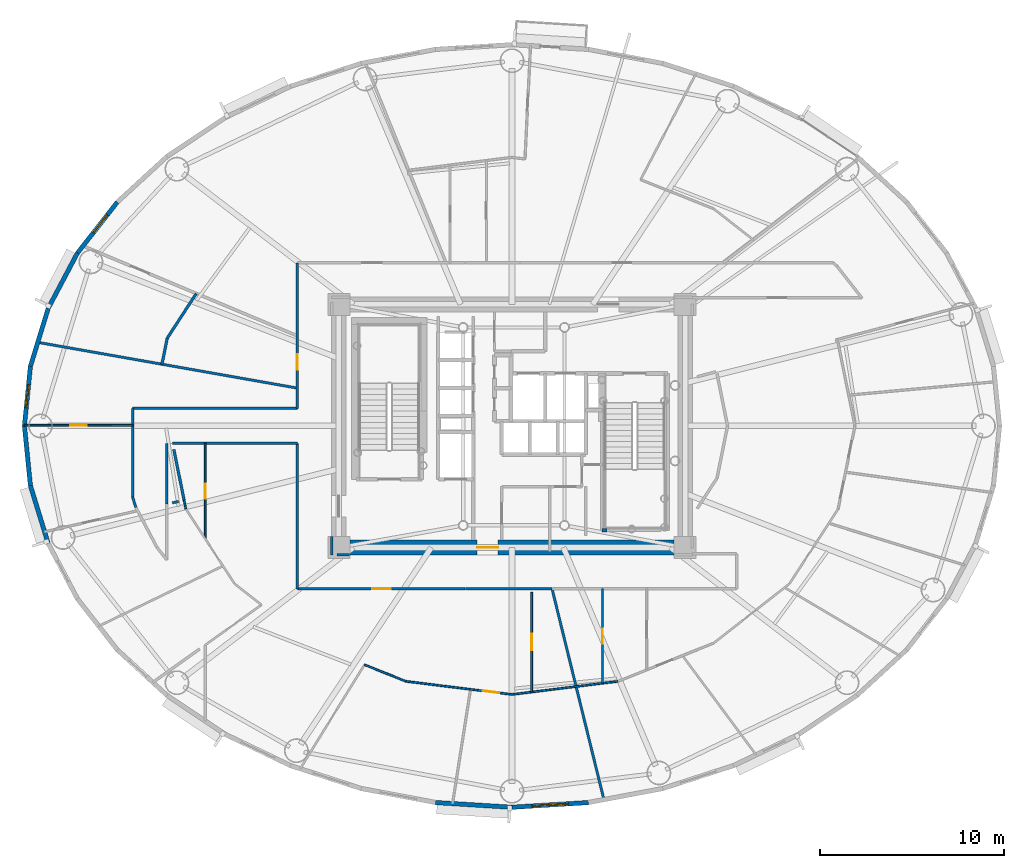
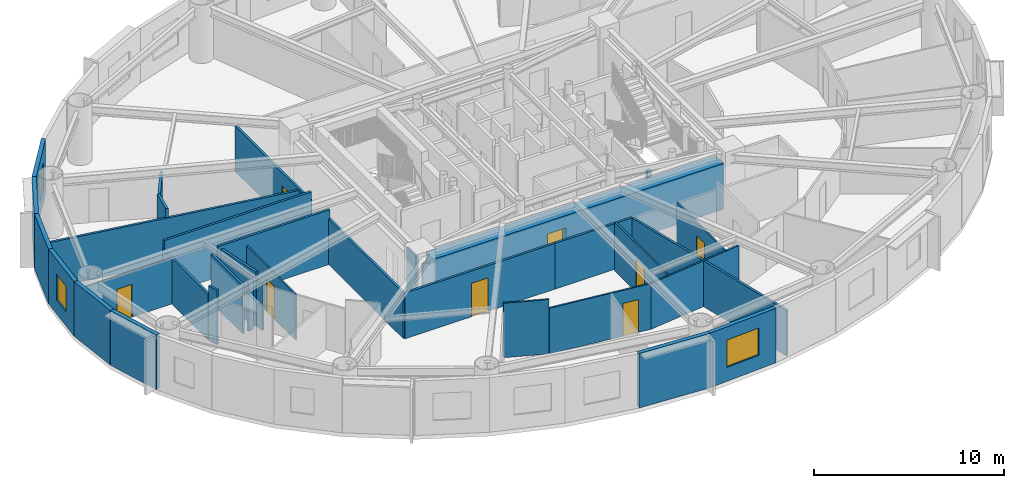
# One storey, part 7 of 18: 35 walls, 8 doors, 3 windows, 11 openings.
"""IFC4 building model written with IfcOpenShell, lengths in metres."""

from ifc_helpers import new_model, si_unit, direction, frame, frame_2d, origin, origin_2d, place, context, subcontext, project, spatial, rectangle, extrude, source, transform, mapped, material, layer, layer_set, type_object, element, fill, save


model = new_model("IFC4")

# Units and contexts
model_context = context("Model", 3, precision=1e-05, world=origin(), true_north=direction((0.0, 1.0)))
body_context = subcontext(model_context, "Body", "Model", "MODEL_VIEW")
ifc_project = project(units=[si_unit("LENGTHUNIT", "METRE"), si_unit("AREAUNIT", "SQUARE_METRE"), si_unit("VOLUMEUNIT", "CUBIC_METRE"), si_unit("PLANEANGLEUNIT", "RADIAN"), si_unit("MASSUNIT", "GRAM", prefix="KILO")], contexts=[model_context])

# Site, building, storey
site_placement = place(None, origin())
site = spatial("IfcSite", under=ifc_project, at=site_placement, CompositionType="ELEMENT")
building_placement = place(site_placement, origin())
building = spatial("IfcBuilding", under=site, at=building_placement, Name="Linh Dai School and Residence Tower", CompositionType="ELEMENT")
storey_placement = place(building_placement, frame((0.0, 0.0, 186.14990234375)))
storey = spatial("IfcBuildingStorey", under=building, at=storey_placement, Name="L45", CompositionType="ELEMENT", Elevation=186.14990234375)

# Wall, opening, window
ifc_material_1 = material(Name="Precast Concrete B45 (C35/45)", Category="concrete")
ifc_layer_1 = layer(ifc_material_1, 0.239990234375)
ifc_layer_set_1 = layer_set([ifc_layer_1], Name="Precast Concrete B45 (C35/45)")
wall_type_1 = type_object("IfcWallType", Name="EW-TC-240", PredefinedType="SOLIDWALL", material=ifc_layer_set_1)
wall_1_placement = place(storey_placement, frame((12.404052734375, 36.388427734375, 0.0), z_axis=(0.0, 0.0, 1.0), x_axis=(0.616287674549, 0.787521112224, 0.0)))
wall_1 = element("IfcWall", 1, at=wall_1_placement, inside=storey, type_object=wall_type_1, Name="L45 Terracotta Exterior Wall 17", PredefinedType="SOLIDWALL", context=body_context, shape_type="SweptSolid", body=[
    extrude(rectangle(XDim=3.517333984375, YDim=0.239990234375, at=frame_2d((1.7587890625, 0.0))), origin(), (0.0, 0.0, 1.0), 3.5),
])
opening_1_placement = place(wall_1_placement, frame((1.3896484375, 0.0, 0.89990234375)))
opening_1 = element("IfcOpeningElement", 2, at=opening_1_placement, cuts=wall_1, Name="Opening W3", PredefinedType="OPENING", context=body_context, shape_type="SweptSolid", body=[
    extrude(rectangle(XDim=1.25, YDim=1.64990234375, at=origin_2d()), frame((0.625, 0.1298828125, 0.824951171875), z_axis=(0.0, -1.0, 0.0), x_axis=(1.0, 0.0, 0.0)), (0.0, 0.0, 1.0), 0.260009765625),
])
ifc_material_2 = material(Name="Double Low-E Insulated Glazing", Category="glass")
window_type_1 = type_object("IfcWindowType", Name="WN-RES-1250x1650", PartitioningType="SINGLE_PANEL", PredefinedType="WINDOW", material=ifc_material_2)
shared_shape_1 = source(origin(), body_context, "Body", "SweptSolid", [
    extrude(rectangle(XDim=1.25, YDim=1.64990234375, at=origin_2d()), frame((0.625, 0.030029296875, 0.824951171875), z_axis=(0.0, -1.0, 0.0), x_axis=(1.0, 0.0, 0.0)), (0.0, 0.0, 1.0), 0.06005859375),
])
window_1_placement = place(opening_1_placement, origin())
window_1 = element("IfcWindow", 3, at=window_1_placement, inside=storey, type_object=window_type_1, Name="L45 Exterior Window 17.1", OverallHeight=1.64990234375, OverallWidth=1.25, PartitioningType="SINGLE_PANEL", PredefinedType="WINDOW", context=body_context, shape_type="MappedRepresentation", body=[
    mapped(shared_shape_1, transform((0.0, 0.0, 0.0), x_axis=(1.0, 0.0, 0.0), y_axis=(0.0, 1.0, 0.0), z_axis=(0.0, 0.0, 1.0), scale=1.0)),
])
fill(opening_1, window_1)

# Walls
wall_2_placement = place(storey_placement, frame((10.8173828125, 33.388916015625, 0.0), z_axis=(0.0, 0.0, 1.0), x_axis=(0.467586874938, 0.88394712194, 0.0)))
element("IfcWall", 4, at=wall_2_placement, inside=storey, type_object=wall_type_1, Name="L45 Terracotta Exterior Wall 18", PredefinedType="SOLIDWALL", context=body_context, shape_type="SweptSolid", body=[
    extrude(rectangle(XDim=3.393310546875, YDim=0.239990234375, at=frame_2d((1.69677734375, 0.0))), origin(), (0.0, 0.0, 1.0), 3.5),
])
wall_3_placement = place(storey_placement, frame((9.85009765625, 30.233642578125, 0.0), z_axis=(0.0, 0.0, 1.0), x_axis=(0.293097995113, 0.956082405058, 0.0)))
element("IfcWall", 5, at=wall_3_placement, inside=storey, type_object=wall_type_1, Name="L45 Terracotta Exterior Wall 19", PredefinedType="SOLIDWALL", context=body_context, shape_type="SweptSolid", body=[
    extrude(rectangle(XDim=3.30029296875, YDim=0.239990234375, at=frame_2d((1.650146484375, 0.0))), origin(), (0.0, 0.0, 1.0), 3.5),
])

# Wall, opening, window
wall_4_placement = place(storey_placement, frame((9.52490234375, 27.0, 0.0), z_axis=(0.0, 0.0, 1.0), x_axis=(0.100061534614, 0.994981250723, 0.0)))
wall_4 = element("IfcWall", 6, at=wall_4_placement, inside=storey, type_object=wall_type_1, Name="L45 Terracotta Exterior Wall 20", PredefinedType="SOLIDWALL", context=body_context, shape_type="SweptSolid", body=[
    extrude(rectangle(XDim=3.25, YDim=0.239990234375, at=frame_2d((1.625, 0.0))), origin(), (0.0, 0.0, 1.0), 3.5),
])
opening_2_placement = place(wall_4_placement, frame((1.0, 0.0, 0.89990234375)))
opening_2 = element("IfcOpeningElement", 7, at=opening_2_placement, cuts=wall_4, Name="Opening W3", PredefinedType="OPENING", context=body_context, shape_type="SweptSolid", body=[
    extrude(rectangle(XDim=1.25, YDim=1.64990234375, at=origin_2d()), frame((0.625, 0.1298828125, 0.824951171875), z_axis=(0.0, -1.0, 0.0), x_axis=(1.0, 0.0, 0.0)), (0.0, 0.0, 1.0), 0.260009765625),
])
window_2_placement = place(opening_2_placement, origin())
window_2 = element("IfcWindow", 8, at=window_2_placement, inside=storey, type_object=window_type_1, Name="L45 Dwelling Window U4501-BD1", OverallHeight=1.64990234375, OverallWidth=1.25, PartitioningType="SINGLE_PANEL", PredefinedType="WINDOW", context=body_context, shape_type="MappedRepresentation", body=[
    mapped(shared_shape_1, transform((0.0, 0.0, 0.0), x_axis=(1.0, 0.0, 0.0), y_axis=(0.0, 1.0, 0.0), z_axis=(0.0, 0.0, 1.0), scale=1.0)),
])
fill(opening_2, window_2)

# Walls
wall_5_placement = place(storey_placement, frame((9.85009765625, 23.766357421875, 0.0), z_axis=(0.0, 0.0, 1.0), x_axis=(-0.100061534614, 0.994981250723, 0.0)))
element("IfcWall", 9, at=wall_5_placement, inside=storey, type_object=wall_type_1, Name="L45 Terracotta Exterior Wall 21", PredefinedType="SOLIDWALL", context=body_context, shape_type="SweptSolid", body=[
    extrude(rectangle(XDim=3.25, YDim=0.239990234375, at=frame_2d((1.625, 0.0))), origin(), (0.0, 0.0, 1.0), 3.5),
])
wall_6_placement = place(storey_placement, frame((10.8173828125, 20.611083984375, 0.0), z_axis=(0.0, 0.0, 1.0), x_axis=(-0.293097995113, 0.956082405058, 0.0)))
element("IfcWall", 10, at=wall_6_placement, inside=storey, type_object=wall_type_1, Name="L45 Terracotta Exterior Wall 22", PredefinedType="SOLIDWALL", context=body_context, shape_type="SweptSolid", body=[
    extrude(rectangle(XDim=3.30029296875, YDim=0.239990234375, at=frame_2d((1.650146484375, 0.0))), origin(), (0.0, 0.0, 1.0), 3.5),
])
wall_7_placement = place(storey_placement, frame((36.0, 6.294921875, 0.0), z_axis=(0.0, 0.0, 1.0), x_axis=(-0.998104600619, 0.061540281305, 0.0)))
element("IfcWall", 11, at=wall_7_placement, inside=storey, type_object=wall_type_1, Name="L45 Terracotta Exterior Wall 30", PredefinedType="SOLIDWALL", context=body_context, shape_type="SweptSolid", body=[
    extrude(rectangle(XDim=4.153564453125, YDim=0.239990234375, at=frame_2d((2.07666015625, 0.0))), origin(), (0.0, 0.0, 1.0), 3.5),
])

# Wall, opening, window
wall_8_placement = place(storey_placement, frame((40.145751953125, 6.550537109375, 0.0), z_axis=(0.0, 0.0, 1.0), x_axis=(-0.998104600619, -0.061540281305, 0.0)))
wall_8 = element("IfcWall", 12, at=wall_8_placement, inside=storey, type_object=wall_type_1, Name="L45 Terracotta Exterior Wall 31", PredefinedType="SOLIDWALL", context=body_context, shape_type="SweptSolid", body=[
    extrude(rectangle(XDim=4.153564453125, YDim=0.239990234375, at=frame_2d((2.07666015625, 0.0))), origin(), (0.0, 0.0, 1.0), 3.5),
])
opening_3_placement = place(wall_8_placement, frame((1.076904296875, 0.0, 0.89990234375)))
opening_3 = element("IfcOpeningElement", 13, at=opening_3_placement, cuts=wall_8, Name="Opening W1", PredefinedType="OPENING", context=body_context, shape_type="SweptSolid", body=[
    extrude(rectangle(XDim=2.0, YDim=1.75, at=origin_2d()), frame((1.0, 0.1298828125, 0.875), z_axis=(0.0, -1.0, 0.0), x_axis=(1.0, 0.0, 0.0)), (0.0, 0.0, 1.0), 0.260009765625),
])
window_type_2 = type_object("IfcWindowType", Name="WN-RES-2000x1750", PartitioningType="DOUBLE_PANEL_VERTICAL", PredefinedType="WINDOW", material=ifc_material_2)
shared_shape_2 = source(origin(), body_context, "Body", "SweptSolid", [
    extrude(rectangle(XDim=2.0, YDim=1.75, at=origin_2d()), frame((1.0, 0.030029296875, 0.875), z_axis=(0.0, -1.0, 0.0), x_axis=(1.0, 0.0, 0.0)), (0.0, 0.0, 1.0), 0.06005859375),
])
window_3_placement = place(opening_3_placement, origin())
window_3 = element("IfcWindow", 14, at=window_3_placement, inside=storey, type_object=window_type_2, Name="L45 Exterior Window 31.1", OverallHeight=1.75, OverallWidth=2.0, PartitioningType="DOUBLE_PANEL_VERTICAL", PredefinedType="WINDOW", context=body_context, shape_type="MappedRepresentation", body=[
    mapped(shared_shape_2, transform((0.0, 0.0, 0.0), x_axis=(1.0, 0.0, 0.0), y_axis=(0.0, 1.0, 0.0), z_axis=(0.0, 0.0, 1.0), scale=1.0)),
])
fill(opening_3, window_3)

# Walls
ifc_material_3 = material(Name="Autoclaved Aerated Concrete Blockwork", Category="masonry")
ifc_layer_2 = layer(ifc_material_3, 0.135009765625)
ifc_layer_set_2 = layer_set([ifc_layer_2], Name="Autoclaved Aerated Concrete Blockwork")
wall_type_2 = type_object("IfcWallType", Name="IW-CORR-135-EI90", PredefinedType="PARTITIONING", material=ifc_layer_set_2)
wall_9_placement = place(storey_placement, frame((10.24560546875, 31.541259765625, 0.0), z_axis=(0.0, 0.0, 1.0), x_axis=(0.984807060168, -0.173652106936, 0.0)))
element("IfcWall", 15, at=wall_9_placement, inside=storey, type_object=wall_type_2, Name="L45 Interior Partition Wall 002", PredefinedType="PARTITIONING", context=body_context, shape_type="SweptSolid", body=[
    extrude(rectangle(XDim=14.322021484375, YDim=0.135009765625, at=frame_2d((7.1611328125, 0.0))), origin(), (0.0, 0.0, 1.0), 2.93505859375),
])
wall_10_placement = place(storey_placement, frame((15.39990234375, 23.14599609375, 0.0), z_axis=(0.0, 0.0, 1.0), x_axis=(0.0, 1.0, 0.0)))
element("IfcWall", 16, at=wall_10_placement, inside=storey, type_object=wall_type_2, Name="L45 Interior Partition Wall 006", PredefinedType="PARTITIONING", context=body_context, shape_type="SweptSolid", body=[
    extrude(rectangle(XDim=4.803955078125, YDim=0.135009765625, at=frame_2d((2.40185546875, 0.0))), origin(), (0.0, 0.0, 1.0), 2.93505859375),
])
wall_11_placement = place(storey_placement, frame((15.39990234375, 23.14599609375, 0.0), z_axis=(0.0, 0.0, 1.0), x_axis=(0.293335154151, -0.956009669061, 0.0)))
element("IfcWall", 17, at=wall_11_placement, inside=storey, type_object=wall_type_2, Name="L45 Interior Partition Wall 007", PredefinedType="PARTITIONING", context=body_context, shape_type="SweptSolid", body=[
    extrude(rectangle(XDim=0.59423828125, YDim=0.135009765625, at=frame_2d((0.297119140625, 0.0))), origin(), (0.0, 0.0, 1.0), 3.5),
])
wall_12_placement = place(storey_placement, frame((15.39990234375, 27.949951171875, 0.0), z_axis=(0.0, 0.0, 1.0), x_axis=(1.0, 0.0, 0.0)))
element("IfcWall", 18, at=wall_12_placement, inside=storey, type_object=wall_type_2, Name="L45 Interior Partition Wall 008", PredefinedType="PARTITIONING", context=body_context, shape_type="SweptSolid", body=[
    extrude(rectangle(XDim=8.9501953125, YDim=0.135009765625, at=frame_2d((4.47509765625, 0.0))), origin(), (0.0, 0.0, 1.0), 3.5),
])
wall_13_placement = place(storey_placement, frame((17.572265625, 26.050048828125, 0.0), z_axis=(0.0, 0.0, 1.0), x_axis=(1.0, 0.0, 0.0)))
element("IfcWall", 19, at=wall_13_placement, inside=storey, type_object=wall_type_2, Name="L45 Interior Partition Wall 014", PredefinedType="PARTITIONING", context=body_context, shape_type="SweptSolid", body=[
    extrude(rectangle(XDim=6.77783203125, YDim=0.135009765625, at=frame_2d((3.388916015625, 0.0))), origin(), (0.0, 0.0, 1.0), 3.5),
])
wall_14_placement = place(storey_placement, frame((24.35009765625, 18.14990234375, 0.0), z_axis=(0.0, 0.0, 1.0), x_axis=(0.0, 1.0, 0.0)))
element("IfcWall", 20, at=wall_14_placement, inside=storey, type_object=wall_type_2, Name="L45 Interior Partition Wall 020", PredefinedType="PARTITIONING", context=body_context, shape_type="SweptSolid", body=[
    extrude(rectangle(XDim=7.900146484375, YDim=0.135009765625, at=frame_2d((3.9501953125, 0.0))), origin(), (0.0, 0.0, 1.0), 2.93505859375),
])

# Wall, opening, door
wall_15_placement = place(storey_placement, frame((24.35009765625, 18.14990234375, 0.0), z_axis=(0.0, 0.0, 1.0), x_axis=(1.0, 0.0, 0.0)))
wall_15 = element("IfcWall", 21, at=wall_15_placement, inside=storey, type_object=wall_type_2, Name="L45 Interior Partition Wall 021", PredefinedType="PARTITIONING", context=body_context, shape_type="SweptSolid", body=[
    extrude(rectangle(XDim=9.108642578125, YDim=0.135009765625, at=frame_2d((4.55419921875, 0.0))), origin(), (0.0, 0.0, 1.0), 2.93505859375),
])
opening_4_placement = place(wall_15_placement, frame((4.05419921875, 0.0, 0.0)))
opening_4 = element("IfcOpeningElement", 22, at=opening_4_placement, cuts=wall_15, Name="Opening D03", PredefinedType="OPENING", context=body_context, shape_type="SweptSolid", body=[
    extrude(rectangle(XDim=1.0, YDim=2.14990234375, at=origin_2d()), frame((0.5, 0.07763671875, 1.074951171875), z_axis=(0.0, -1.0, 0.0), x_axis=(1.0, 0.0, 0.0)), (0.0, 0.0, 1.0), 0.155029296875),
])
ifc_material_4 = material(Name="Fire-Rated Solid Timber Entrance Door", Category="wood")
door_type_1 = type_object("IfcDoorType", Name="DR-FLAT-1000x2150-FD60S", OperationType="NOTDEFINED", PredefinedType="DOOR", material=ifc_material_4)
shared_shape_3 = source(origin(), body_context, "Body", "SweptSolid", [
    extrude(rectangle(XDim=1.0, YDim=2.14990234375, at=origin_2d()), frame((0.5, 0.02490234375, 1.074951171875), z_axis=(0.0, -1.0, 0.0), x_axis=(1.0, 0.0, 0.0)), (0.0, 0.0, 1.0), 0.050048828125),
])
door_1_placement = place(opening_4_placement, origin())
door_1 = element("IfcDoor", 23, at=door_1_placement, inside=storey, type_object=door_type_1, Name="L45 U4501 Apartment Entrance Door", OperationType="SINGLE_SWING_LEFT", OverallHeight=2.14990234375, OverallWidth=1.0, PredefinedType="DOOR", context=body_context, shape_type="MappedRepresentation", body=[
    mapped(shared_shape_3, transform((0.0, 0.0, 0.0), x_axis=(1.0, 0.0, 0.0), y_axis=(0.0, 1.0, 0.0), z_axis=(0.0, 0.0, 1.0), scale=1.0)),
])
fill(opening_4, door_1)

wall_16_placement = place(storey_placement, frame((24.35009765625, 27.949951171875, 0.0), z_axis=(0.0, 0.0, 1.0), x_axis=(0.0, 1.0, 0.0)))
wall_16 = element("IfcWall", 24, at=wall_16_placement, inside=storey, type_object=wall_type_2, Name="L45 Interior Partition Wall 022", PredefinedType="PARTITIONING", context=body_context, shape_type="SweptSolid", body=[
    extrude(rectangle(XDim=7.900146484375, YDim=0.135009765625, at=frame_2d((3.9501953125, 0.0))), origin(), (0.0, 0.0, 1.0), 2.93505859375),
])
opening_5_placement = place(wall_16_placement, frame((2.11083984375, 0.0, 0.0)))
opening_5 = element("IfcOpeningElement", 25, at=opening_5_placement, cuts=wall_16, Name="Opening D06", PredefinedType="OPENING", context=body_context, shape_type="SweptSolid", body=[
    extrude(rectangle(XDim=0.820068359375, YDim=2.10009765625, at=origin_2d()), frame((0.41015625, 0.07763671875, 1.050048828125), z_axis=(0.0, -1.0, 0.0), x_axis=(1.0, 0.0, 0.0)), (0.0, 0.0, 1.0), 0.155029296875),
])
ifc_material_5 = material(Name="Moisture-Resistant Timber Bathroom Door", Category="wood")
door_type_2 = type_object("IfcDoorType", Name="DR-WET-820x2100", OperationType="NOTDEFINED", PredefinedType="DOOR", material=ifc_material_5)
shared_shape_4 = source(origin(), body_context, "Body", "SweptSolid", [
    extrude(rectangle(XDim=0.820068359375, YDim=2.10009765625, at=origin_2d()), frame((0.41015625, 0.02490234375, 1.050048828125), z_axis=(0.0, -1.0, 0.0), x_axis=(1.0, 0.0, 0.0)), (0.0, 0.0, 1.0), 0.050048828125),
])
door_2_placement = place(opening_5_placement, origin())
door_2 = element("IfcDoor", 26, at=door_2_placement, inside=storey, type_object=door_type_2, Name="L45 Amenity Accessible WC Door", OperationType="SINGLE_SWING_RIGHT", OverallHeight=2.10009765625, OverallWidth=0.820068359375, PredefinedType="DOOR", context=body_context, shape_type="MappedRepresentation", body=[
    mapped(shared_shape_4, transform((0.0, 0.0, 0.0), x_axis=(1.0, 0.0, 0.0), y_axis=(0.0, 1.0, 0.0), z_axis=(0.0, 0.0, 1.0), scale=1.0)),
])
fill(opening_5, door_2)

# Walls
wall_17_placement = place(storey_placement, frame((38.187744140625, 18.106201171875, 0.0), z_axis=(0.0, 0.0, 1.0), x_axis=(0.238849835997, -0.971056515268, 0.0)))
element("IfcWall", 27, at=wall_17_placement, inside=storey, type_object=wall_type_2, Name="L45 Interior Partition Wall 063", PredefinedType="PARTITIONING", context=body_context, shape_type="SweptSolid", body=[
    extrude(rectangle(XDim=11.741455078125, YDim=0.135009765625, at=frame_2d((5.87060546875, 0.0))), origin(), (0.0, 0.0, 1.0), 2.93505859375),
])
wall_18_placement = place(storey_placement, frame((17.25, 26.050048828125, 0.0), z_axis=(0.0, 0.0, 1.0), x_axis=(0.0, -1.0, 0.0)))
element("IfcWall", 28, at=wall_18_placement, inside=storey, type_object=wall_type_2, Name="L45 Interior Partition Wall 101", PredefinedType="PARTITIONING", context=body_context, shape_type="SweptSolid", body=[
    extrude(rectangle(XDim=3.28759765625, YDim=0.135009765625, at=frame_2d((1.643798828125, 0.0))), origin(), (0.0, 0.0, 1.0), 3.125),
])
wall_19_placement = place(storey_placement, frame((26.199951171875, 20.989990234375, 0.0), z_axis=(0.0, 0.0, 1.0), x_axis=(0.0, -1.0, 0.0)))
element("IfcWall", 29, at=wall_19_placement, inside=storey, type_object=wall_type_2, Name="L45 Interior Partition Wall 106", PredefinedType="PARTITIONING", context=body_context, shape_type="SweptSolid", body=[
    extrude(rectangle(XDim=0.989990234375, YDim=0.135009765625, at=frame_2d((0.4951171875, 0.0))), origin(), (0.0, 0.0, 1.0), 3.5),
])
wall_20_placement = place(storey_placement, frame((26.507568359375, 20.0, 0.0), z_axis=(0.0, 0.0, 1.0), x_axis=(1.0, 0.0, 0.0)))
element("IfcWall", 30, at=wall_20_placement, inside=storey, type_object=wall_type_2, Name="L45 Interior Partition Wall 107", PredefinedType="PARTITIONING", context=body_context, shape_type="SweptSolid", body=[
    extrude(rectangle(XDim=0.682373046875, YDim=0.135009765625, at=frame_2d((0.34130859375, 0.0))), origin(), (0.0, 0.0, 1.0), 2.93505859375),
])
wall_21_placement = place(storey_placement, frame((38.177734375, 18.14990234375, 0.0), z_axis=(0.0, 0.0, 1.0), x_axis=(-1.0, 0.0, 0.0)))
element("IfcWall", 31, at=wall_21_placement, inside=storey, type_object=wall_type_2, Name="L45 Interior Partition Wall 109", PredefinedType="PARTITIONING", context=body_context, shape_type="SweptSolid", body=[
    extrude(rectangle(XDim=4.708984375, YDim=0.135009765625, at=frame_2d((2.3544921875, 0.0))), origin(), (0.0, 0.0, 1.0), 2.93505859375),
])
wall_22_placement = place(storey_placement, frame((17.5576171875, 22.822265625, 0.0), z_axis=(0.0, 0.0, 1.0), x_axis=(0.975362278784, 0.220609213601, 0.0)))
element("IfcWall", 32, at=wall_22_placement, inside=storey, type_object=wall_type_2, Name="L45 Interior Partition Wall 111", PredefinedType="PARTITIONING", context=body_context, shape_type="SweptSolid", body=[
    extrude(rectangle(XDim=0.34423828125, YDim=0.135009765625, at=frame_2d((0.172119140625, 0.0))), origin(), (0.0, 0.0, 1.0), 3.125),
])
ifc_layer_3 = layer(ifc_material_3, 0.14990234375)
ifc_layer_set_3 = layer_set([ifc_layer_3], Name="Autoclaved Aerated Concrete Blockwork")
wall_type_3 = type_object("IfcWallType", Name="IW-SCH-150-EI60", PredefinedType="PARTITIONING", material=ifc_layer_set_3)
wall_23_placement = place(storey_placement, frame((16.993896484375, 30.351318359375, 0.0), z_axis=(0.0, 0.0, 1.0), x_axis=(0.198136589313, 0.98017441916, 0.0)))
element("IfcWall", 33, at=wall_23_placement, inside=storey, type_object=wall_type_3, Name="L45 Interior Partition Wall 011", PredefinedType="PARTITIONING", context=body_context, shape_type="SweptSolid", body=[
    extrude(rectangle(XDim=1.4404296875, YDim=0.14990234375, at=frame_2d((0.72021484375, 0.0))), origin(), (0.0, 0.0, 1.0), 3.5),
])
wall_24_placement = place(storey_placement, frame((17.279296875, 31.76318359375, 0.0), z_axis=(0.0, 0.0, 1.0), x_axis=(0.545388220317, 0.8381835653, 0.0)))
element("IfcWall", 34, at=wall_24_placement, inside=storey, type_object=wall_type_3, Name="L45 Interior Partition Wall 013", PredefinedType="PARTITIONING", context=body_context, shape_type="SweptSolid", body=[
    extrude(rectangle(XDim=2.896728515625, YDim=0.14990234375, at=frame_2d((1.4482421875, 0.0))), origin(), (0.0, 0.0, 1.0), 2.93505859375),
])
wall_25_placement = place(storey_placement, frame((18.19384765625, 22.9765625, 0.0), z_axis=(0.0, 0.0, 1.0), x_axis=(-0.19826083806, 0.980149294797, 0.0)))
element("IfcWall", 35, at=wall_25_placement, inside=storey, type_object=wall_type_3, Name="L45 Interior Partition Wall 113", PredefinedType="PARTITIONING", context=body_context, shape_type="SweptSolid", body=[
    extrude(rectangle(XDim=2.801513671875, YDim=0.14990234375, at=frame_2d((1.40087890625, 0.0))), origin(), (0.0, 0.0, 1.0), 3.5),
])
ifc_material_6 = material(Name="Concrete B45 (C35/45)", Category="concrete")
ifc_layer_4 = layer(ifc_material_6, 0.199951171875)
ifc_layer_set_4 = layer_set([ifc_layer_4], Name="Concrete B45 (C35/45)")
wall_type_4 = type_object("IfcWallType", Name="IW-SHAFT-200-EI120", PredefinedType="PARTITIONING", material=ifc_layer_set_4)
wall_26_placement = place(storey_placement, frame((40.89990234375, 21.330078125, 0.0), z_axis=(0.0, 0.0, 1.0), x_axis=(1.0, 0.0, 0.0)))
element("IfcWall", 36, at=wall_26_placement, inside=storey, type_object=wall_type_4, Name="L45 Interior Partition Wall 071", PredefinedType="PARTITIONING", context=body_context, shape_type="SweptSolid", body=[
    extrude(rectangle(XDim=0.25, YDim=0.199951171875, at=frame_2d((0.125, 0.0))), origin(), (0.0, 0.0, 1.0), 3.03515625),
])

# Wall, opening, door
ifc_material_7 = material(Name="Gypsum Plasterboard Acoustic Stud Partition", Category="masonry")
ifc_layer_5 = layer(ifc_material_7, 0.10009765625)
ifc_layer_set_5 = layer_set([ifc_layer_5], Name="Gypsum Plasterboard Acoustic Stud Partition")
wall_type_5 = type_object("IfcWallType", Name="IW-UNIT-100", PredefinedType="PARTITIONING", material=ifc_layer_set_5)
wall_27_placement = place(storey_placement, frame((9.524169921875, 27.040771484375, 0.0), z_axis=(0.0, 0.0, 1.0), x_axis=(0.999998818241, -0.001537373012, 0.0)))
wall_27 = element("IfcWall", 37, at=wall_27_placement, inside=storey, type_object=wall_type_5, Name="L45 Interior Partition Wall 001", PredefinedType="PARTITIONING", context=body_context, shape_type="SweptSolid", body=[
    extrude(rectangle(XDim=5.875732421875, YDim=0.10009765625, at=frame_2d((2.93798828125, 0.0))), origin(), (0.0, 0.0, 1.0), 2.93505859375),
])
opening_6_placement = place(wall_27_placement, frame((2.488037109375, 0.0, 0.0)))
opening_6 = element("IfcOpeningElement", 38, at=opening_6_placement, cuts=wall_27, Name="Opening D05", PredefinedType="OPENING", context=body_context, shape_type="SweptSolid", body=[
    extrude(rectangle(XDim=0.89990234375, YDim=2.10009765625, at=origin_2d()), frame((0.449951171875, 0.06005859375, 1.050048828125), z_axis=(0.0, -1.0, 0.0), x_axis=(1.0, 0.0, 0.0)), (0.0, 0.0, 1.0), 0.1201171875),
])
ifc_material_8 = material(Name="Engineered Timber Internal Door", Category="wood")
door_type_3 = type_object("IfcDoorType", Name="DR-INT-900x2100", OperationType="NOTDEFINED", PredefinedType="DOOR", material=ifc_material_8)
shared_shape_5 = source(origin(), body_context, "Body", "SweptSolid", [
    extrude(rectangle(XDim=0.89990234375, YDim=2.10009765625, at=origin_2d()), frame((0.449951171875, 0.02490234375, 1.050048828125), z_axis=(0.0, -1.0, 0.0), x_axis=(1.0, 0.0, 0.0)), (0.0, 0.0, 1.0), 0.050048828125),
])
door_3_placement = place(opening_6_placement, origin())
door_3 = element("IfcDoor", 39, at=door_3_placement, inside=storey, type_object=door_type_3, Name="L45 Apartment U4501 Principal Bedroom 1 Door", OperationType="SINGLE_SWING_LEFT", OverallHeight=2.10009765625, OverallWidth=0.89990234375, PredefinedType="DOOR", context=body_context, shape_type="MappedRepresentation", body=[
    mapped(shared_shape_5, transform((0.0, 0.0, 0.0), x_axis=(1.0, 0.0, 0.0), y_axis=(0.0, 1.0, 0.0), z_axis=(0.0, 0.0, 1.0), scale=1.0)),
])
fill(opening_6, door_3)

# Wall
wall_28_placement = place(storey_placement, frame((18.19580078125, 22.966796875, 0.0), z_axis=(0.0, 0.0, 1.0), x_axis=(0.197965751338, -0.980208937573, 0.0)))
element("IfcWall", 40, at=wall_28_placement, inside=storey, type_object=wall_type_5, Name="L45 Interior Partition Wall 015", PredefinedType="PARTITIONING", context=body_context, shape_type="SweptSolid", body=[
    extrude(rectangle(XDim=0.482177734375, YDim=0.10009765625, at=frame_2d((0.2412109375, 0.0))), origin(), (0.0, 0.0, 1.0), 2.93505859375),
])

# Wall, opening, door
wall_29_placement = place(storey_placement, frame((19.34716796875, 20.871337890625, 0.0), z_axis=(0.0, 0.0, 1.0), x_axis=(0.0, 1.0, 0.0)))
wall_29 = element("IfcWall", 41, at=wall_29_placement, inside=storey, type_object=wall_type_5, Name="L45 Interior Partition Wall 018", PredefinedType="PARTITIONING", context=body_context, shape_type="SweptSolid", body=[
    extrude(rectangle(XDim=5.1787109375, YDim=0.10009765625, at=frame_2d((2.58935546875, 0.0))), origin(), (0.0, 0.0, 1.0), 2.93505859375),
])
opening_7_placement = place(wall_29_placement, frame((2.17919921875, 0.0, 0.0)))
opening_7 = element("IfcOpeningElement", 42, at=opening_7_placement, cuts=wall_29, Name="Opening D06", PredefinedType="OPENING", context=body_context, shape_type="SweptSolid", body=[
    extrude(rectangle(XDim=0.820068359375, YDim=2.10009765625, at=origin_2d()), frame((0.41015625, 0.06005859375, 1.050048828125), z_axis=(0.0, -1.0, 0.0), x_axis=(1.0, 0.0, 0.0)), (0.0, 0.0, 1.0), 0.1201171875),
])
door_4_placement = place(opening_7_placement, origin())
door_4 = element("IfcDoor", 43, at=door_4_placement, inside=storey, type_object=door_type_2, Name="L45 Apartment U4501 Bathroom 1 Door", OperationType="SINGLE_SWING_RIGHT", OverallHeight=2.10009765625, OverallWidth=0.820068359375, PredefinedType="DOOR", context=body_context, shape_type="MappedRepresentation", body=[
    mapped(shared_shape_4, transform((0.0, 0.0, 0.0), x_axis=(1.0, 0.0, 0.0), y_axis=(0.0, 1.0, 0.0), z_axis=(0.0, 0.0, 1.0), scale=1.0)),
])
fill(opening_7, door_4)

# Wall
wall_30_placement = place(storey_placement, frame((27.989013671875, 14.033203125, 0.0), z_axis=(0.0, 0.0, 1.0), x_axis=(0.928788148018, -0.370611084699, 0.0)))
element("IfcWall", 44, at=wall_30_placement, inside=storey, type_object=wall_type_5, Name="L45 Interior Partition Wall 026", PredefinedType="PARTITIONING", context=body_context, shape_type="SweptSolid", body=[
    extrude(rectangle(XDim=2.43017578125, YDim=0.10009765625, at=frame_2d((1.215087890625, 0.0))), origin(), (0.0, 0.0, 1.0), 3.5),
])

# Wall, opening, door
wall_31_placement = place(storey_placement, frame((30.24609375, 13.132568359375, 0.0), z_axis=(0.0, 0.0, 1.0), x_axis=(0.992396615981, -0.123081097612, 0.0)))
wall_31 = element("IfcWall", 45, at=wall_31_placement, inside=storey, type_object=wall_type_5, Name="L45 Interior Partition Wall 028", PredefinedType="PARTITIONING", context=body_context, shape_type="SweptSolid", body=[
    extrude(rectangle(XDim=5.798095703125, YDim=0.10009765625, at=frame_2d((2.89892578125, 0.0))), origin(), (0.0, 0.0, 1.0), 2.93505859375),
])
opening_8_placement = place(wall_31_placement, frame((4.19384765625, 0.0, 0.0)))
opening_8 = element("IfcOpeningElement", 46, at=opening_8_placement, cuts=wall_31, Name="Opening D05", PredefinedType="OPENING", context=body_context, shape_type="SweptSolid", body=[
    extrude(rectangle(XDim=0.89990234375, YDim=2.10009765625, at=origin_2d()), frame((0.449951171875, 0.06005859375, 1.050048828125), z_axis=(0.0, -1.0, 0.0), x_axis=(1.0, 0.0, 0.0)), (0.0, 0.0, 1.0), 0.1201171875),
])
door_5_placement = place(opening_8_placement, origin())
door_5 = element("IfcDoor", 47, at=door_5_placement, inside=storey, type_object=door_type_3, Name="L45 Apartment U4501 Principal Bedroom 4 Door", OperationType="SINGLE_SWING_LEFT", OverallHeight=2.10009765625, OverallWidth=0.89990234375, PredefinedType="DOOR", context=body_context, shape_type="MappedRepresentation", body=[
    mapped(shared_shape_5, transform((0.0, 0.0, 0.0), x_axis=(1.0, 0.0, 0.0), y_axis=(0.0, 1.0, 0.0), z_axis=(0.0, 0.0, 1.0), scale=1.0)),
])
fill(opening_8, door_5)

# Wall
wall_32_placement = place(storey_placement, frame((36.0, 12.4189453125, 0.0), z_axis=(0.0, 0.0, 1.0), x_axis=(0.992396615981, 0.123081097612, 0.0)))
element("IfcWall", 48, at=wall_32_placement, inside=storey, type_object=wall_type_5, Name="L45 Interior Partition Wall 054", PredefinedType="PARTITIONING", context=body_context, shape_type="SweptSolid", body=[
    extrude(rectangle(XDim=5.798095703125, YDim=0.10009765625, at=frame_2d((2.89892578125, 0.0))), origin(), (0.0, 0.0, 1.0), 2.93505859375),
])

# Wall, opening, door
wall_33_placement = place(storey_placement, frame((37.064453125, 12.551025390625, 0.0), z_axis=(0.0, 0.0, 1.0), x_axis=(0.0, 1.0, 0.0)))
wall_33 = element("IfcWall", 49, at=wall_33_placement, inside=storey, type_object=wall_type_5, Name="L45 Interior Partition Wall 059", PredefinedType="PARTITIONING", context=body_context, shape_type="SweptSolid", body=[
    extrude(rectangle(XDim=5.415771484375, YDim=0.10009765625, at=frame_2d((2.7080078125, 0.0))), origin(), (0.0, 0.0, 1.0), 3.125),
])
opening_9_placement = place(wall_33_placement, frame((2.2578125, 0.0, 0.0)))
opening_9 = element("IfcOpeningElement", 50, at=opening_9_placement, cuts=wall_33, Name="Opening D05", PredefinedType="OPENING", context=body_context, shape_type="SweptSolid", body=[
    extrude(rectangle(XDim=0.89990234375, YDim=2.10009765625, at=origin_2d()), frame((0.449951171875, 0.06005859375, 1.050048828125), z_axis=(0.0, -1.0, 0.0), x_axis=(1.0, 0.0, 0.0)), (0.0, 0.0, 1.0), 0.1201171875),
])
door_6_placement = place(opening_9_placement, origin())
door_6 = element("IfcDoor", 51, at=door_6_placement, inside=storey, type_object=door_type_3, Name="L45 Apartment U4501 Kitchen Door", OperationType="SINGLE_SWING_LEFT", OverallHeight=2.10009765625, OverallWidth=0.89990234375, PredefinedType="DOOR", context=body_context, shape_type="MappedRepresentation", body=[
    mapped(shared_shape_5, transform((0.0, 0.0, 0.0), x_axis=(1.0, 0.0, 0.0), y_axis=(0.0, 1.0, 0.0), z_axis=(0.0, 0.0, 1.0), scale=1.0)),
])
fill(opening_9, door_6)

wall_34_placement = place(storey_placement, frame((40.91552734375, 13.028564453125, 0.0), z_axis=(0.0, 0.0, 1.0), x_axis=(0.0, 1.0, 0.0)))
wall_34 = element("IfcWall", 52, at=wall_34_placement, inside=storey, type_object=wall_type_5, Name="L45 Interior Partition Wall 072", PredefinedType="PARTITIONING", context=body_context, shape_type="SweptSolid", body=[
    extrude(rectangle(XDim=5.121337890625, YDim=0.10009765625, at=frame_2d((2.560546875, 0.0))), origin(), (0.0, 0.0, 1.0), 2.93505859375),
])
opening_10_placement = place(wall_34_placement, frame((2.150634765625, 0.0, 0.0)))
opening_10 = element("IfcOpeningElement", 53, at=opening_10_placement, cuts=wall_34, Name="Opening D06", PredefinedType="OPENING", context=body_context, shape_type="SweptSolid", body=[
    extrude(rectangle(XDim=0.820068359375, YDim=2.10009765625, at=origin_2d()), frame((0.41015625, 0.06005859375, 1.050048828125), z_axis=(0.0, -1.0, 0.0), x_axis=(1.0, 0.0, 0.0)), (0.0, 0.0, 1.0), 0.1201171875),
])
door_7_placement = place(opening_10_placement, origin())
door_7 = element("IfcDoor", 54, at=door_7_placement, inside=storey, type_object=door_type_2, Name="L45 Apartment U4502 Bathroom 1 Door", OperationType="SINGLE_SWING_RIGHT", OverallHeight=2.10009765625, OverallWidth=0.820068359375, PredefinedType="DOOR", context=body_context, shape_type="MappedRepresentation", body=[
    mapped(shared_shape_4, transform((0.0, 0.0, 0.0), x_axis=(1.0, 0.0, 0.0), y_axis=(0.0, 1.0, 0.0), z_axis=(0.0, 0.0, 1.0), scale=1.0)),
])
fill(opening_10, door_7)

ifc_material_9 = material(Name="Concrete B60 (C50/60)", Category="concrete")
ifc_layer_6 = layer(ifc_material_9, 0.800048828125)
ifc_layer_set_6 = layer_set([ifc_layer_6], Name="Concrete B60 (C50/60)")
wall_type_6 = type_object("IfcWallType", Name="WL-CORE800", PredefinedType="SHEAR", material=ifc_layer_set_6)
wall_35_placement = place(storey_placement, frame((44.800048828125, 20.39990234375, 0.0), z_axis=(0.0, 0.0, 1.0), x_axis=(-1.0, 0.0, 0.0)))
wall_35 = element("IfcWall", 55, at=wall_35_placement, inside=storey, type_object=wall_type_6, Name="L45 Central Core Shear Wall S", PredefinedType="SHEAR", context=body_context, shape_type="SweptSolid", body=[
    extrude(rectangle(XDim=17.60009765625, YDim=0.800048828125, at=frame_2d((8.800048828125, 0.0))), origin(), (0.0, 0.0, 1.0), 2.9501953125),
])
opening_11_placement = place(wall_35_placement, frame((9.550048828125, 0.0, 0.0)))
opening_11 = element("IfcOpeningElement", 56, at=opening_11_placement, cuts=wall_35, Name="Opening D02", PredefinedType="OPENING", context=body_context, shape_type="SweptSolid", body=[
    extrude(rectangle(XDim=1.14990234375, YDim=2.14990234375, at=origin_2d()), frame((0.574951171875, 0.41015625, 1.074951171875), z_axis=(0.0, -1.0, 0.0), x_axis=(1.0, 0.0, 0.0)), (0.0, 0.0, 1.0), 0.820068359375),
])
ifc_material_10 = material(Name="Fire-Rated Glazed Steel Lobby Door", Category="steel")
door_type_4 = type_object("IfcDoorType", Name="DR-LOBBY-1150x2150-FD90S", OperationType="NOTDEFINED", PredefinedType="DOOR", material=ifc_material_10)
shared_shape_6 = source(origin(), body_context, "Body", "SweptSolid", [
    extrude(rectangle(XDim=1.14990234375, YDim=2.14990234375, at=origin_2d()), frame((0.574951171875, 0.02490234375, 1.074951171875), z_axis=(0.0, -1.0, 0.0), x_axis=(1.0, 0.0, 0.0)), (0.0, 0.0, 1.0), 0.050048828125),
])
door_8_placement = place(opening_11_placement, origin())
door_8 = element("IfcDoor", 57, at=door_8_placement, inside=storey, type_object=door_type_4, Name="L45 Passenger Foyer Access Door", OperationType="SINGLE_SWING_RIGHT", OverallHeight=2.14990234375, OverallWidth=1.14990234375, PredefinedType="DOOR", context=body_context, shape_type="MappedRepresentation", body=[
    mapped(shared_shape_6, transform((0.0, 0.0, 0.0), x_axis=(1.0, 0.0, 0.0), y_axis=(0.0, 1.0, 0.0), z_axis=(0.0, 0.0, 1.0), scale=1.0)),
])
fill(opening_11, door_8)

save(model, "model.ifc")
